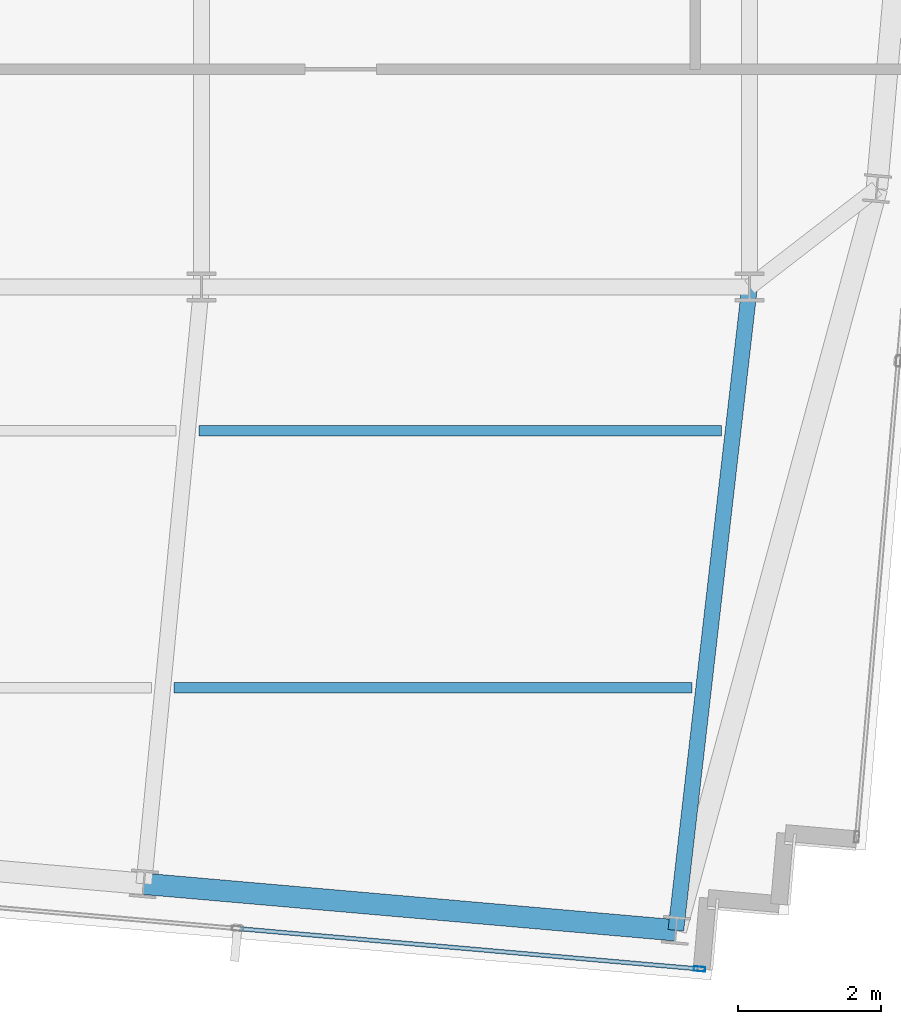
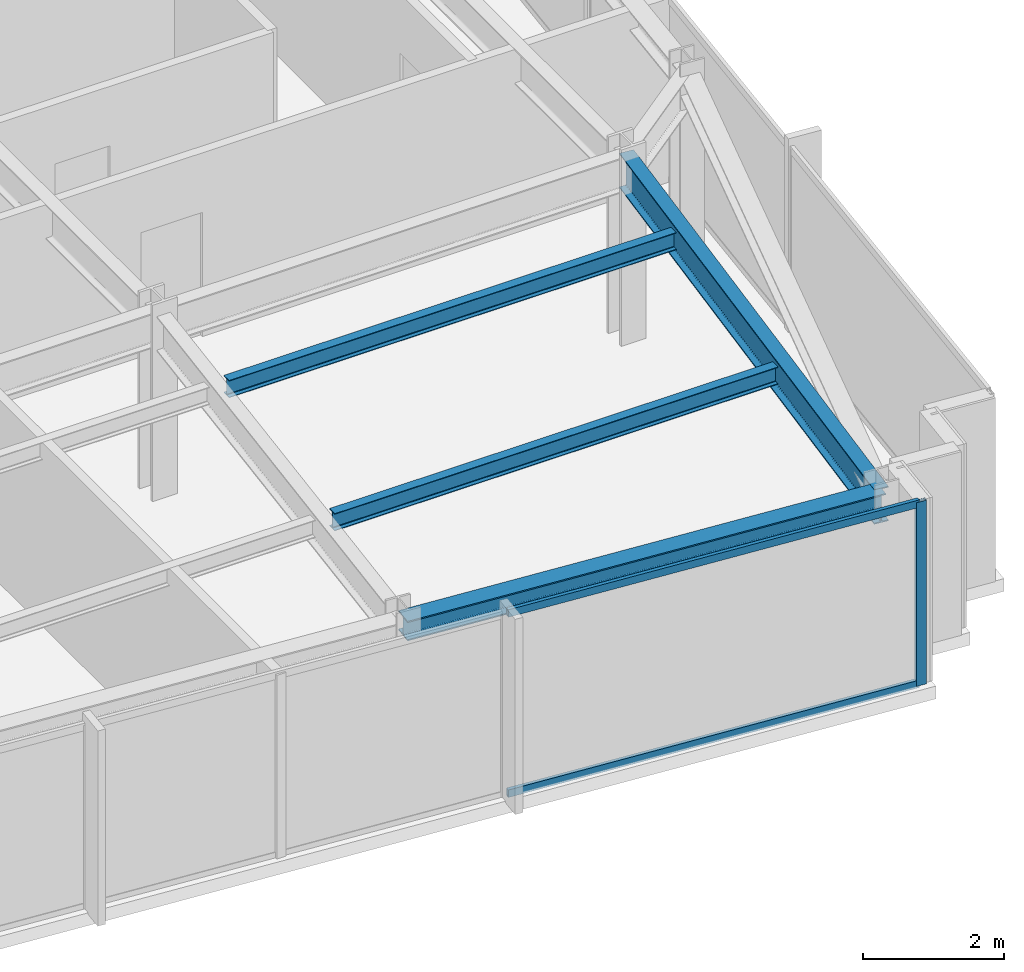
# One storey, part 14 of 32: 4 beams, 3 members, 1 element without a shape of its own.
"""IFC4 building model written with IfcOpenShell, lengths in metres."""

from ifc_helpers import new_model, si_unit, direction, frame, origin, origin_2d, place, context, subcontext, project, spatial, hollow_rectangle, i_section, extrude, material, material_profile, profile_set, type_object, element, aggregate, save


model = new_model("IFC4")

# Units and contexts
model_context = context("Model", 3, precision=1e-05, world=origin(), true_north=direction((0.0, 1.0)))
body_context = subcontext(model_context, "Body", "Model", "MODEL_VIEW")
ifc_project = project(units=[si_unit("LENGTHUNIT", "METRE"), si_unit("AREAUNIT", "SQUARE_METRE"), si_unit("VOLUMEUNIT", "CUBIC_METRE"), si_unit("PLANEANGLEUNIT", "RADIAN"), si_unit("MASSUNIT", "GRAM", prefix="KILO")], contexts=[model_context])

# Site, building, storey
site_placement = place(None, origin())
site = spatial("IfcSite", under=ifc_project, at=site_placement, CompositionType="ELEMENT")
building_placement = place(site_placement, origin())
building = spatial("IfcBuilding", under=site, at=building_placement, Name="Yelkora Congress Tower", CompositionType="ELEMENT")
storey_placement = place(building_placement, frame((0.0, 0.0, 272.699951171875)))
storey = spatial("IfcBuildingStorey", under=building, at=storey_placement, Name="L76", CompositionType="ELEMENT", Elevation=272.699951171875)

# Beams
ifc_material_1 = material(Name="Steel S355J2", Category="steel")
ifc_material_profile_1 = material_profile(ifc_material_1, i_section(OverallWidth=0.219970703125, OverallDepth=0.60009765625, WebThickness=0.011962890625, FlangeThickness=0.01904296875, FilletRadius=0.02392578125, at=origin_2d()), Name="IPE 600")
ifc_profile_set_1 = profile_set([ifc_material_profile_1], Name="Steel S355J2")
beam_type_1 = type_object("IfcBeamType", Name="BM-GIRD-IPE600", PredefinedType="BEAM", material=ifc_profile_set_1)
beam_1_placement = place(storey_placement, frame((52.727294921875, 16.1845703125, 2.880126953125), z_axis=(0.113806093355, 0.993502980929, 0.0), x_axis=(-0.993502980929, 0.113806093355, 0.0)))
element("IfcBeam", 1, at=beam_1_placement, inside=storey, type_object=beam_type_1, Name="L76 Primary Frame Girder S07", PredefinedType="BEAM", context=body_context, shape_type="SweptSolid", body=[
    extrude(i_section(OverallWidth=0.219970703125, OverallDepth=0.60009765625, WebThickness=0.011962890625, FlangeThickness=0.01904296875, FilletRadius=0.02392578125, at=origin_2d()), origin(), (0.0, 0.0, 1.0), 9.07421875),
])
ifc_material_profile_2 = material_profile(ifc_material_1, i_section(OverallWidth=0.14990234375, OverallDepth=0.300048828125, WebThickness=0.007080078125, FlangeThickness=0.0107421875, FilletRadius=0.014892578125, at=origin_2d()), Name="IPE 300")
ifc_profile_set_2 = profile_set([ifc_material_profile_2], Name="Steel S355J2")
beam_type_2 = type_object("IfcBeamType", Name="BM-JOIST-IPE300", PredefinedType="JOIST", material=ifc_profile_set_2)
beam_2_placement = place(storey_placement, frame((45.69775390625, 19.58447265625, 3.030029296875), z_axis=(1.0, 0.0, 0.0), x_axis=(0.0, 1.0, 0.0)))
element("IfcBeam", 2, at=beam_2_placement, inside=storey, type_object=beam_type_2, Name="L76 Composite Floor Joist 4", PredefinedType="JOIST", context=body_context, shape_type="SweptSolid", body=[
    extrude(i_section(OverallWidth=0.14990234375, OverallDepth=0.300048828125, WebThickness=0.007080078125, FlangeThickness=0.0107421875, FilletRadius=0.014892578125, at=origin_2d()), origin(), (0.0, 0.0, 1.0), 7.259033203125),
])
beam_3_placement = place(storey_placement, frame((46.04541015625, 23.1845703125, 3.030029296875), z_axis=(1.0, 0.0, 0.0), x_axis=(0.0, 1.0, 0.0)))
element("IfcBeam", 3, at=beam_3_placement, inside=storey, type_object=beam_type_2, Name="L76 Composite Floor Joist 8", PredefinedType="JOIST", context=body_context, shape_type="SweptSolid", body=[
    extrude(i_section(OverallWidth=0.14990234375, OverallDepth=0.300048828125, WebThickness=0.007080078125, FlangeThickness=0.0107421875, FilletRadius=0.014892578125, at=origin_2d()), origin(), (0.0, 0.0, 1.0), 7.32373046875),
])
ifc_material_profile_3 = material_profile(ifc_material_1, i_section(OverallWidth=0.300048828125, OverallDepth=0.340087890625, WebThickness=0.011962890625, FlangeThickness=0.021484375, FilletRadius=0.027099609375, at=origin_2d()), Name="HEB 340")
ifc_profile_set_3 = profile_set([ifc_material_profile_3], Name="Steel S355J2")
beam_type_3 = type_object("IfcBeamType", Name="BM-SPAN-HEB340", PredefinedType="SPANDREL", material=ifc_profile_set_3)
beam_4_placement = place(storey_placement, frame((45.2724609375, 16.836669921875, 3.010009765625), z_axis=(0.99619601894, -0.087140644067, 0.0), x_axis=(0.087140644067, 0.99619601894, 0.0)))
element("IfcBeam", 4, at=beam_4_placement, inside=storey, type_object=beam_type_3, Name="L76 Perimeter Beam 6", PredefinedType="SPANDREL", context=body_context, shape_type="SweptSolid", body=[
    extrude(i_section(OverallWidth=0.300048828125, OverallDepth=0.340087890625, WebThickness=0.011962890625, FlangeThickness=0.021484375, FilletRadius=0.027099609375, at=origin_2d()), origin(), (0.0, 0.0, 1.0), 7.4833984375),
])

# Curtain wall, members
ifc_material_2 = material(Name="Anodised aluminium and insulated glass", Category="aluminium")
curtain_wall_type = type_object("IfcCurtainWallType", Name="CW-SYS-B5", PredefinedType="NOTDEFINED", material=ifc_material_2)
curtain_wall_placement = place(storey_placement, origin())
curtain_wall = element("IfcCurtainWall", 5, at=curtain_wall_placement, inside=storey, type_object=curtain_wall_type, Name="L76 Unitised Curtain Wall 20", PredefinedType="NOTDEFINED")
ifc_material_3 = material(Name="Anodised aluminium 6063-T6", Category="aluminium")
ifc_material_profile_4 = material_profile(ifc_material_3, hollow_rectangle(XDim=0.06494140625, YDim=0.159912109375, WallThickness=0.00390625, at=origin_2d()), Name="ALU 65x160x4")
ifc_profile_set_4 = profile_set([ifc_material_profile_4], Name="Anodised aluminium 6063-T6")
member_type_1 = type_object("IfcMemberType", Name="MEM-ML-B5", PredefinedType="MULLION", material=ifc_profile_set_4)
member_1_placement = place(storey_placement, frame((53.058837890625, 15.6435546875, 0.0), z_axis=(0.0, 0.0, 1.0), x_axis=(-0.087156829793, -0.996194602987, 0.0)))
member_1 = element("IfcMember", 6, at=member_1_placement, type_object=member_type_1, Name="CW-B5 mullion 1", PredefinedType="MULLION", context=body_context, shape_type="SweptSolid", body=[
    extrude(hollow_rectangle(XDim=0.06494140625, YDim=0.159912109375, WallThickness=0.00390625, at=origin_2d()), origin(), (0.0, 0.0, 1.0), 3.179931640625),
])
ifc_material_profile_5 = material_profile(ifc_material_3, hollow_rectangle(XDim=0.06005859375, YDim=0.1298828125, WallThickness=0.00390625, at=origin_2d()), Name="ALU 60x130x4")
ifc_profile_set_5 = profile_set([ifc_material_profile_5], Name="Anodised aluminium 6063-T6")
member_type_2 = type_object("IfcMemberType", Name="MEM-TR-B5", PredefinedType="USERDEFINED", material=ifc_profile_set_5)
member_2_placement = place(storey_placement, frame((53.0263671875, 15.646484375, 0.030029296875), z_axis=(-0.996197464696, 0.087124114537, 0.0), x_axis=(-0.087124114537, -0.996197464696, 0.0)))
member_2 = element("IfcMember", 7, at=member_2_placement, type_object=member_type_2, Name="CW-B5 transom 1.1", ObjectType="TRANSOM", PredefinedType="USERDEFINED", context=body_context, shape_type="SweptSolid", body=[
    extrude(hollow_rectangle(XDim=0.06005859375, YDim=0.1298828125, WallThickness=0.00390625, at=origin_2d()), origin(), (0.0, 0.0, 1.0), 6.433837890625),
])
member_3_placement = place(storey_placement, frame((53.0263671875, 15.646484375, 3.150146484375), z_axis=(-0.996197464696, 0.087124114537, 0.0), x_axis=(-0.087124114537, -0.996197464696, 0.0)))
member_3 = element("IfcMember", 8, at=member_3_placement, type_object=member_type_2, Name="CW-B5 transom 1.2", ObjectType="TRANSOM", PredefinedType="USERDEFINED", context=body_context, shape_type="SweptSolid", body=[
    extrude(hollow_rectangle(XDim=0.06005859375, YDim=0.1298828125, WallThickness=0.00390625, at=origin_2d()), origin(), (0.0, 0.0, 1.0), 6.433837890625),
])
aggregate(curtain_wall, [member_1, member_2, member_3])

save(model, "model.ifc")
